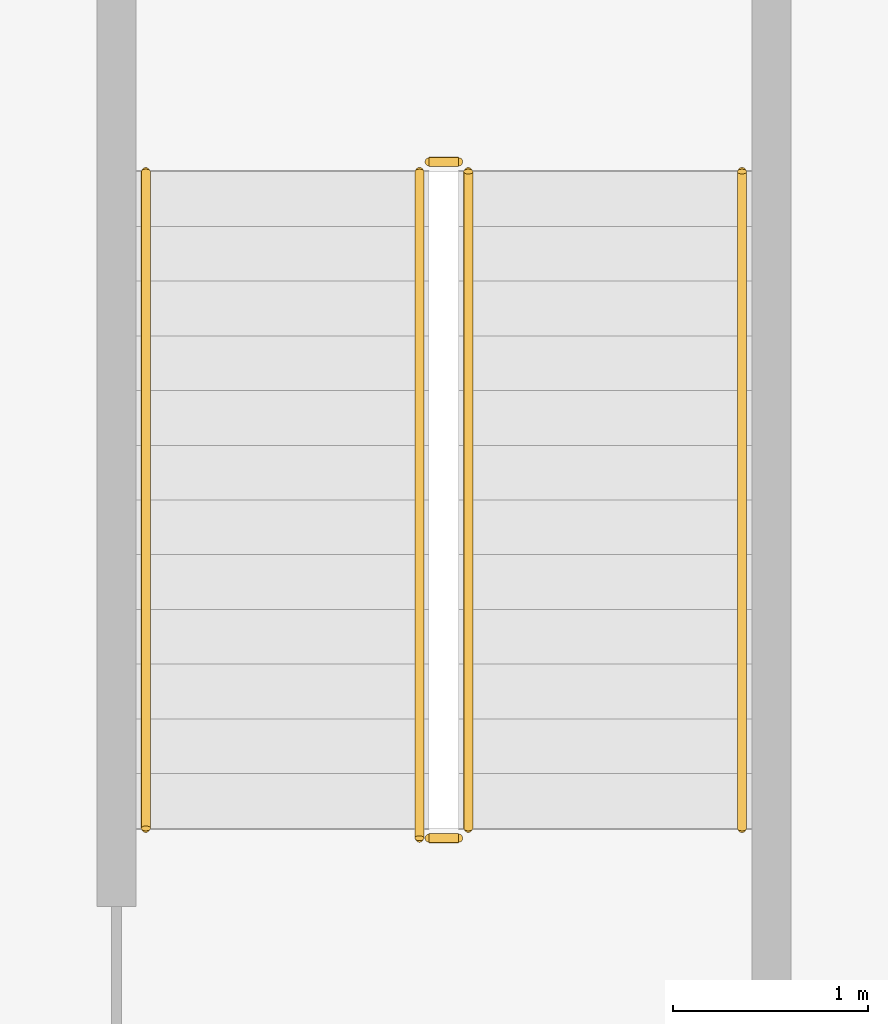
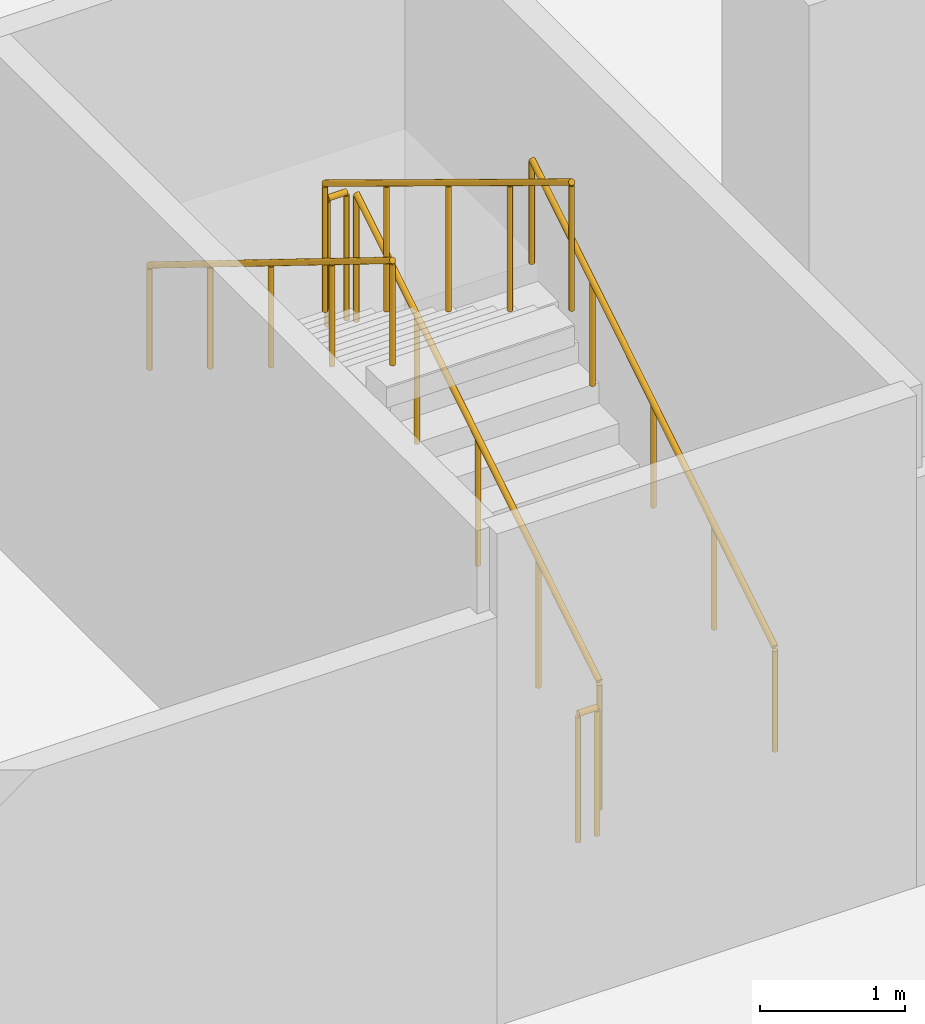
# One storey, part 43 of 43: 6 railings.
"""IFC4 building model written with IfcOpenShell, lengths in metres."""

from ifc_helpers import new_model, si_unit, direction, frame, origin, origin_2d, place, context, subcontext, project, spatial, circle, extrude, material, type_object, element, save


model = new_model("IFC4")

# Units and contexts
model_context = context("Model", 3, precision=1e-05, world=origin(), true_north=direction((0.0, 1.0)))
body_context = subcontext(model_context, "Body", "Model", "MODEL_VIEW")
ifc_project = project(units=[si_unit("LENGTHUNIT", "METRE"), si_unit("AREAUNIT", "SQUARE_METRE"), si_unit("VOLUMEUNIT", "CUBIC_METRE"), si_unit("PLANEANGLEUNIT", "RADIAN"), si_unit("MASSUNIT", "GRAM", prefix="KILO")], contexts=[model_context])

# Site, building, storey
site_placement = place(None, origin())
site = spatial("IfcSite", under=ifc_project, at=site_placement, CompositionType="ELEMENT")
building_placement = place(site_placement, origin())
building = spatial("IfcBuilding", under=site, at=building_placement, Name="Plateau Cross Towers", CompositionType="ELEMENT")
storey_placement = place(building_placement, frame((0.0, 0.0, 12.800048828125)))
storey = spatial("IfcBuildingStorey", under=building, at=storey_placement, Name="L02", CompositionType="ELEMENT", Elevation=12.800048828125)

# Railings
ifc_material_1 = material(Name="Stainless steel and toughened glass", Category="steel")
railing_type_1 = type_object("IfcRailingType", Name="RL-GUARD-1100", PredefinedType="GUARDRAIL", material=ifc_material_1)
railing_1_placement = place(storey_placement, frame((68.39990234375, 42.10009765625, 0.173095703125)))
element("IfcRailing", 1, at=railing_1_placement, inside=storey, type_object=railing_type_1, Name="L02 PS3 stair guard 1", PredefinedType="GUARDRAIL", context=body_context, shape_type="SweptSolid", body=[
    extrude(circle(Radius=0.02392578125, at=origin_2d()), frame((0.0, 0.0, 1.076171875), z_axis=(0.0, 0.850606129759, 0.525803396734), x_axis=(-1.0, 0.0, 0.0)), (0.0, 0.0, 1.0), 3.949951171875),
    extrude(circle(Radius=0.02099609375, at=origin_2d()), origin(), (0.0, 0.0, 1.0), 1.052001953125),
    extrude(circle(Radius=0.02099609375, at=origin_2d()), frame((0.0, 0.83984375, 0.519287109375)), (0.0, 0.0, 1.0), 1.052001953125),
    extrude(circle(Radius=0.02099609375, at=origin_2d()), frame((0.0, 1.679931640625, 1.03857421875)), (0.0, 0.0, 1.0), 1.052001953125),
    extrude(circle(Radius=0.02099609375, at=origin_2d()), frame((0.0, 2.52001953125, 1.5576171875)), (0.0, 0.0, 1.0), 1.052001953125),
    extrude(circle(Radius=0.02099609375, at=origin_2d()), frame((0.0, 3.35986328125, 2.076904296875)), (0.0, 0.0, 1.0), 1.052001953125),
])
railing_2_placement = place(storey_placement, frame((68.35009765625, 45.510009765625, 2.25)))
element("IfcRailing", 2, at=railing_2_placement, inside=storey, type_object=railing_type_1, Name="L02 PS3 stair guard 2", PredefinedType="GUARDRAIL", context=body_context, shape_type="SweptSolid", body=[
    extrude(circle(Radius=0.02392578125, at=origin_2d()), frame((0.0, 0.0, 1.076171875), z_axis=(-1.0, 0.0, 0.0), x_axis=(0.0, -1.0, 0.0)), (0.0, 0.0, 1.0), 0.150146484375),
    extrude(circle(Radius=0.02099609375, at=origin_2d()), origin(), (0.0, 0.0, 1.0), 1.052001953125),
    extrude(circle(Radius=0.02099609375, at=origin_2d()), frame((-0.150146484375, 0.0, 0.0)), (0.0, 0.0, 1.0), 1.052001953125),
])
railing_3_placement = place(storey_placement, frame((68.14990234375, 45.4599609375, 2.423095703125)))
element("IfcRailing", 3, at=railing_3_placement, inside=storey, type_object=railing_type_1, Name="L02 PS3 stair guard 3", PredefinedType="GUARDRAIL", context=body_context, shape_type="SweptSolid", body=[
    extrude(circle(Radius=0.02392578125, at=origin_2d()), frame((0.0, 0.0, 1.076171875), z_axis=(0.0, -0.854053285388, 0.520185530092), x_axis=(1.0, 0.0, 0.0)), (0.0, 0.0, 1.0), 3.99267578125),
    extrude(circle(Radius=0.02099609375, at=origin_2d()), origin(), (0.0, 0.0, 1.0), 1.052001953125),
    extrude(circle(Radius=0.02099609375, at=origin_2d()), frame((0.0, -0.8525390625, 0.519287109375)), (0.0, 0.0, 1.0), 1.052001953125),
    extrude(circle(Radius=0.02099609375, at=origin_2d()), frame((0.0, -1.705078125, 1.03857421875)), (0.0, 0.0, 1.0), 1.052001953125),
    extrude(circle(Radius=0.02099609375, at=origin_2d()), frame((0.0, -2.557373046875, 1.5576171875)), (0.0, 0.0, 1.0), 1.052001953125),
    extrude(circle(Radius=0.02099609375, at=origin_2d()), frame((0.0, -3.409912109375, 2.076904296875)), (0.0, 0.0, 1.0), 1.052001953125),
])
railing_4_placement = place(storey_placement, frame((68.35009765625, 42.050048828125, 0.0)))
element("IfcRailing", 4, at=railing_4_placement, inside=storey, type_object=railing_type_1, Name="L02 PS3 stair guard 4", PredefinedType="GUARDRAIL", context=body_context, shape_type="SweptSolid", body=[
    extrude(circle(Radius=0.02392578125, at=origin_2d()), frame((0.0, 0.0, 1.076171875), z_axis=(-1.0, 0.0, 0.0), x_axis=(0.0, -1.0, 0.0)), (0.0, 0.0, 1.0), 0.150146484375),
    extrude(circle(Radius=0.02099609375, at=origin_2d()), origin(), (0.0, 0.0, 1.0), 1.052001953125),
    extrude(circle(Radius=0.02099609375, at=origin_2d()), frame((-0.150146484375, 0.0, 0.0)), (0.0, 0.0, 1.0), 1.052001953125),
])
ifc_material_2 = material(Name="Black anodised aluminium", Category="aluminium")
railing_type_2 = type_object("IfcRailingType", Name="RL-HANDRAIL-900", PredefinedType="HANDRAIL", material=ifc_material_2)
railing_5_placement = place(storey_placement, frame((69.800048828125, 42.10009765625, 0.173095703125)))
element("IfcRailing", 5, at=railing_5_placement, inside=storey, type_object=railing_type_2, Name="L02 PS3 stair handrail 1", PredefinedType="HANDRAIL", context=body_context, shape_type="SweptSolid", body=[
    extrude(circle(Radius=0.02392578125, at=origin_2d()), frame((0.0, 0.0, 0.8759765625), z_axis=(0.0, 0.850606129759, 0.525803396734), x_axis=(-1.0, 0.0, 0.0)), (0.0, 0.0, 1.0), 3.949951171875),
    extrude(circle(Radius=0.02099609375, at=origin_2d()), origin(), (0.0, 0.0, 1.0), 0.851806640625),
    extrude(circle(Radius=0.02099609375, at=origin_2d()), frame((0.0, 0.83984375, 0.519287109375)), (0.0, 0.0, 1.0), 0.851806640625),
    extrude(circle(Radius=0.02099609375, at=origin_2d()), frame((0.0, 1.679931640625, 1.03857421875)), (0.0, 0.0, 1.0), 0.851806640625),
    extrude(circle(Radius=0.02099609375, at=origin_2d()), frame((0.0, 2.52001953125, 1.5576171875)), (0.0, 0.0, 1.0), 0.851806640625),
    extrude(circle(Radius=0.02099609375, at=origin_2d()), frame((0.0, 3.35986328125, 2.076904296875)), (0.0, 0.0, 1.0), 0.851806640625),
])
railing_6_placement = place(storey_placement, frame((66.75, 45.4599609375, 2.423095703125)))
element("IfcRailing", 6, at=railing_6_placement, inside=storey, type_object=railing_type_2, Name="L02 PS3 stair handrail 2", PredefinedType="HANDRAIL", context=body_context, shape_type="SweptSolid", body=[
    extrude(circle(Radius=0.02392578125, at=origin_2d()), frame((0.0, 0.0, 0.8759765625), z_axis=(0.0, -0.850606129759, 0.525803396734), x_axis=(1.0, 0.0, 0.0)), (0.0, 0.0, 1.0), 3.949951171875),
    extrude(circle(Radius=0.02099609375, at=origin_2d()), origin(), (0.0, 0.0, 1.0), 0.851806640625),
    extrude(circle(Radius=0.02099609375, at=origin_2d()), frame((0.0, -0.83984375, 0.519287109375)), (0.0, 0.0, 1.0), 0.851806640625),
    extrude(circle(Radius=0.02099609375, at=origin_2d()), frame((0.0, -1.679931640625, 1.03857421875)), (0.0, 0.0, 1.0), 0.851806640625),
    extrude(circle(Radius=0.02099609375, at=origin_2d()), frame((0.0, -2.52001953125, 1.5576171875)), (0.0, 0.0, 1.0), 0.851806640625),
    extrude(circle(Radius=0.02099609375, at=origin_2d()), frame((0.0, -3.35986328125, 2.076904296875)), (0.0, 0.0, 1.0), 0.851806640625),
])

save(model, "model.ifc")
